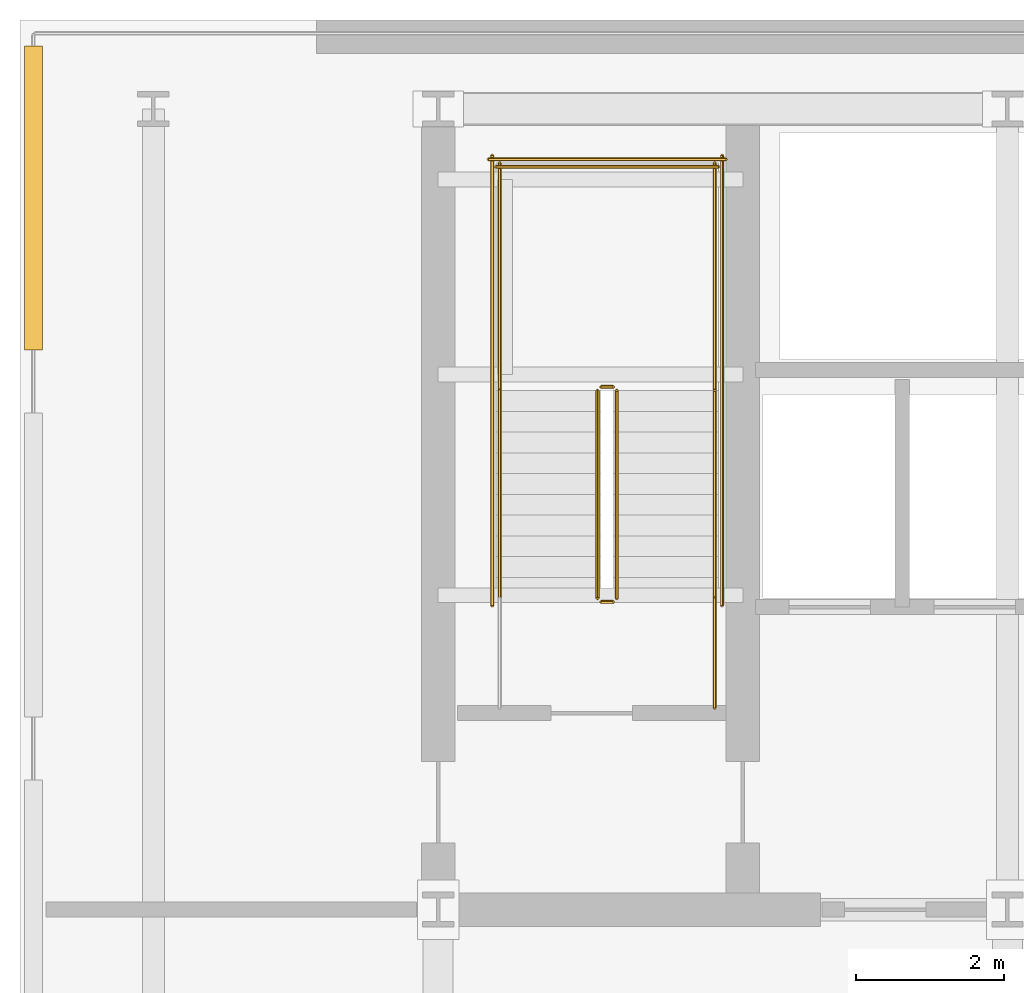
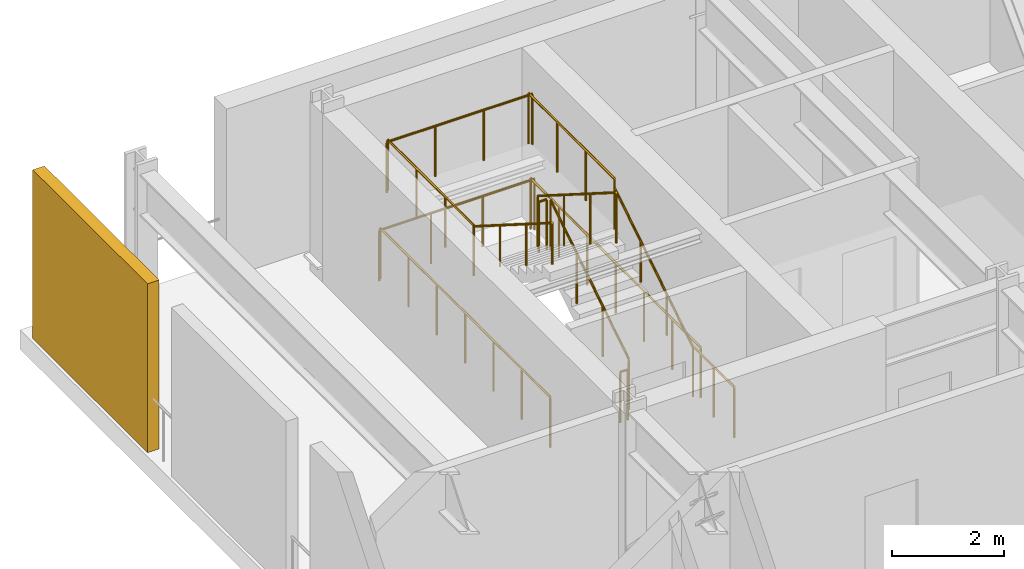
# One storey, part 6 of 8: 13 railings, 1 shading device.
"""IFC4 building model written with IfcOpenShell, lengths in metres."""

import ifcopenshell
import ifcopenshell.guid

model = None  # the IFC model being written
_history = None  # IfcOwnerHistory: only IFC2X3 demands one
_inside = {}  # id of a spatial element -> (the spatial element, [elements in it])
_under = {}  # id of a project, library or spatial element -> (it, [spatial elements below it])
_declared = {}  # id of a project -> (the project, [libraries it declares])
_typed = {}  # id of a type object -> (the type object, [elements of that type])
_made_of = {}  # id of a material, layer set ... -> (it, [elements and type objects made of it])


def new_model(schema):
    """Start an empty IFC model of exactly this schema.

    Asked for "IFC4X3", IfcOpenShell would pick the latest addendum, in which some entities
    have other attributes; the version numbers below select the first issue.
    IFC2X3 requires an IfcOwnerHistory on every rooted entity: one is made here for all.
    """
    global model, _history
    if schema == "IFC4X3":
        model = ifcopenshell.file(schema_version=(4, 3, 0, 0))
    else:
        model = ifcopenshell.file(schema=schema)
    _inside.clear()
    _under.clear()
    _declared.clear()
    _typed.clear()
    _made_of.clear()
    _history = None
    if model.schema == "IFC2X3":
        org = make("IfcOrganization", Name="unknown")
        user = make(
            "IfcPersonAndOrganization",
            ThePerson=make("IfcPerson", FamilyName="unknown"),
            TheOrganization=org,
        )
        app = make(
            "IfcApplication",
            ApplicationDeveloper=org,
            Version="unknown",
            ApplicationFullName="unknown",
            ApplicationIdentifier="unknown",
        )
        _history = make(
            "IfcOwnerHistory",
            OwningUser=user,
            OwningApplication=app,
            ChangeAction="ADDED",
            CreationDate=0,
        )
    return model


def make(cls, **values):
    """One entity of the class cls with the attributes given. An attribute that is None is left unset."""
    return model.create_entity(
        cls, **{name: value for name, value in values.items() if value is not None}
    )


def rooted(cls, **values):
    """An entity with a GlobalId (a new one), such as an element, a storey or a relation."""
    return make(cls, GlobalId=ifcopenshell.guid.new(), OwnerHistory=_history, **values)


def si_unit(unit_type, name, prefix=None):
    """IfcSIUnit, for example si_unit("LENGTHUNIT", "METRE", prefix="MILLI")."""
    return make("IfcSIUnit", UnitType=unit_type, Prefix=prefix, Name=name)


def assignment(units):
    """IfcUnitAssignment: the units of a project."""
    return None if units is None else make("IfcUnitAssignment", Units=units)


def point(xyz):
    """IfcCartesianPoint."""
    return None if xyz is None else make("IfcCartesianPoint", Coordinates=xyz)


def direction(xyz):
    """IfcDirection."""
    return None if xyz is None else make("IfcDirection", DirectionRatios=xyz)


def frame(location, z_axis=None, x_axis=None):
    """IfcAxis2Placement3D, a coordinate frame: its origin and axes. An axis left out is left unset."""
    return make(
        "IfcAxis2Placement3D",
        Location=point(location),
        Axis=direction(z_axis),
        RefDirection=direction(x_axis),
    )


def frame_2d(location, x_axis=None):
    """IfcAxis2Placement2D, a coordinate frame in the plane: its origin and x axis."""
    return make(
        "IfcAxis2Placement2D", Location=point(location), RefDirection=direction(x_axis)
    )


def origin():
    """The frame at (0, 0, 0) with its axes left unset."""
    return frame((0.0, 0.0, 0.0))


def origin_2d():
    """The frame at (0, 0) in the plane with its x axis left unset."""
    return frame_2d((0.0, 0.0))


def place(relative_to, where):
    """IfcLocalPlacement: puts the frame where relative to a parent placement (None: the world)."""
    return make(
        "IfcLocalPlacement", PlacementRelTo=relative_to, RelativePlacement=where
    )


def context(
    kind, dimensions, precision=None, world=None, true_north=None, identifier=None
):
    """IfcGeometricRepresentationContext, for example the 3D "Model" context."""
    return make(
        "IfcGeometricRepresentationContext",
        ContextIdentifier=identifier,
        ContextType=kind,
        CoordinateSpaceDimension=dimensions,
        Precision=precision,
        WorldCoordinateSystem=world,
        TrueNorth=true_north,
    )


def subcontext(parent, identifier, kind, view, scale=None):
    """IfcGeometricRepresentationSubContext, for example "Body" below "Model"."""
    return make(
        "IfcGeometricRepresentationSubContext",
        ContextIdentifier=identifier,
        ContextType=kind,
        ParentContext=parent,
        TargetScale=scale,
        TargetView=view,
    )


def project(units=None, contexts=None):
    """IfcProject with its units and contexts."""
    return rooted(
        "IfcProject",
        Name="project",
        RepresentationContexts=contexts,
        UnitsInContext=assignment(units),
    )


def spatial(cls, under=None, at=None, **own):
    """A site, building, storey or space (cls), placed at a placement, below another one or the project."""
    s = rooted(cls, ObjectPlacement=at, **own)
    if under is not None:
        _under.setdefault(under.id(), (under, []))[1].append(s)
    return s


def profile(cls, at=None, kind="AREA", **sizes):
    """A parametric profile (cls). Its sizes go by their IFC names, for example OverallWidth=200.0."""
    return make(cls, ProfileType=kind, Position=at, **sizes)


def rectangle(**sizes):
    """IfcRectangleProfileDef."""
    return profile("IfcRectangleProfileDef", **sizes)


def circle(**sizes):
    """IfcCircleProfileDef."""
    return profile("IfcCircleProfileDef", **sizes)


def extrude(swept, where, along, depth):
    """IfcExtrudedAreaSolid: the profile swept, set in the frame where, extruded along a direction by depth."""
    return make(
        "IfcExtrudedAreaSolid",
        SweptArea=swept,
        Position=where,
        ExtrudedDirection=direction(along),
        Depth=depth,
    )


def shape(context_of_items, identifier, shape_type, items):
    """IfcShapeRepresentation: the items that make up one representation, for example the "Body"."""
    return make(
        "IfcShapeRepresentation",
        ContextOfItems=context_of_items,
        RepresentationIdentifier=identifier,
        RepresentationType=shape_type,
        Items=items,
    )


def material(Name=None, Category=None):
    """IfcMaterial."""
    return make("IfcMaterial", Name=Name, Category=Category)


def layer(
    of_material, thickness, ventilated=None, Name=None, Category=None, Priority=None
):
    """IfcMaterialLayer: one layer of a wall or slab, of a material (None: an air gap)."""
    return make(
        "IfcMaterialLayer",
        Material=of_material,
        LayerThickness=thickness,
        IsVentilated=ventilated,
        Name=Name,
        Category=Category,
        Priority=Priority,
    )


def layer_set(layers, Name=None):
    """IfcMaterialLayerSet."""
    return make("IfcMaterialLayerSet", MaterialLayers=layers, LayerSetName=Name)


def made_of(thing, what):
    """Note that an element or type object is made of a material, layer set ...; save() writes the relation."""
    if what is not None:
        _made_of.setdefault(what.id(), (what, []))[1].append(thing)
    return thing


def type_object(cls, material=None, **own):
    """A type object (cls), such as IfcWallType, which elements share."""
    return made_of(rooted(cls, **own), material)


def element(
    cls,
    number,
    at=None,
    inside=None,
    cuts=None,
    type_object=None,
    material=None,
    context=None,
    identifier="Body",
    shape_type=None,
    held_by="IfcProductDefinitionShape",
    body=None,
    shapes=None,
    **own,
):
    """One element of the class cls, such as IfcWall. Its Tag is "e" and its number.

    at: its placement. inside: the storey or other place that contains it. cuts: it is an
    opening in that element (IfcRelVoidsElement). A single representation is given by context,
    identifier, shape_type and body (its items); several are given by shapes. held_by: the class
    of the entity that holds the representations. save() writes the other relations.
    """
    e = rooted(cls, Tag="e%d" % number, ObjectPlacement=at, **own)
    if body is not None:
        shapes = [shape(context, identifier, shape_type, body)]
    if shapes is not None:
        e.Representation = make(held_by, Representations=shapes)
    if inside is not None:
        _inside.setdefault(inside.id(), (inside, []))[1].append(e)
    if cuts is not None:
        rooted(
            "IfcRelVoidsElement", RelatingBuildingElement=cuts, RelatedOpeningElement=e
        )
    if type_object is not None:
        _typed.setdefault(type_object.id(), (type_object, []))[1].append(e)
    return made_of(e, material)


def aggregate(whole, parts):
    """IfcRelAggregates: a whole, such as a stair, and the parts it consists of."""
    return rooted("IfcRelAggregates", RelatingObject=whole, RelatedObjects=parts)


def save(model, path):
    """Write the relations noted so far, then the file.

    IfcRelAggregates (storeys below a building ...), IfcRelContainedInSpatialStructure (elements
    in a storey), IfcRelDefinesByType, IfcRelAssociatesMaterial and IfcRelDeclares: one each for
    every whole, place, type object, material and project.
    """
    for whole, parts in _under.values():
        aggregate(whole, parts)
    for where, things in _inside.values():
        rooted(
            "IfcRelContainedInSpatialStructure",
            RelatedElements=things,
            RelatingStructure=where,
        )
    for kind, things in _typed.values():
        rooted("IfcRelDefinesByType", RelatedObjects=things, RelatingType=kind)
    for what, things in _made_of.values():
        rooted("IfcRelAssociatesMaterial", RelatedObjects=things, RelatingMaterial=what)
    for by, libraries in _declared.values():
        rooted("IfcRelDeclares", RelatingContext=by, RelatedDefinitions=libraries)
    model.write(path)


model = new_model("IFC4")

# Units and contexts
model_context = context("Model", 3, precision=1e-05, world=origin(), true_north=direction((0.0, 1.0)))
body_context = subcontext(model_context, "Body", "Model", "MODEL_VIEW")
ifc_project = project(units=[si_unit("LENGTHUNIT", "METRE"), si_unit("AREAUNIT", "SQUARE_METRE"), si_unit("VOLUMEUNIT", "CUBIC_METRE"), si_unit("PLANEANGLEUNIT", "RADIAN"), si_unit("MASSUNIT", "GRAM", prefix="KILO")], contexts=[model_context])

# Site, building, storey
site_placement = place(None, origin())
site = spatial("IfcSite", under=ifc_project, at=site_placement, CompositionType="ELEMENT")
building_placement = place(site_placement, origin())
building = spatial("IfcBuilding", under=site, at=building_placement, Name="Yelkora Congress Tower", CompositionType="ELEMENT")
storey_placement = place(building_placement, frame((0.0, 0.0, 137.300048828125)))
storey = spatial("IfcBuildingStorey", under=building, at=storey_placement, Name="L37", CompositionType="ELEMENT", Elevation=137.300048828125)

# Railings
ifc_material_1 = material(Name="Painted galvanised steel stair well guard with vertical infill", Category="steel")
ifc_layer_1 = layer(ifc_material_1, 0.06005859375)
ifc_layer_set_1 = layer_set([ifc_layer_1], Name="Painted galvanised steel stair well guard with vertical infill")
railing_type_1 = type_object("IfcRailingType", Name="RAIL-STAIR-GUARD-1120", PredefinedType="GUARDRAIL", material=ifc_layer_set_1)
railing_1_placement = place(storey_placement, frame((25.449951171875, 39.60009765625, 0.17724609375)))
element("IfcRailing", 1, at=railing_1_placement, inside=storey, type_object=railing_type_1, Name="ST-01 L37 Stair Well Guardrail 1", PredefinedType="GUARDRAIL", context=body_context, shape_type="SweptSolid", body=[
    extrude(circle(Radius=0.02392578125, at=origin_2d()), frame((0.0, 0.0, 1.09619140625), z_axis=(0.0, 0.844887892834, 0.53494340686), x_axis=(-1.0, 0.0, 0.0)), (0.0, 0.0, 1.0), 3.313720703125),
    extrude(circle(Radius=0.02099609375, at=origin_2d()), origin(), (0.0, 0.0, 1.0), 1.072021484375),
    extrude(circle(Radius=0.02099609375, at=origin_2d()), frame((0.0, 0.933349609375, 0.5908203125)), (0.0, 0.0, 1.0), 1.072021484375),
    extrude(circle(Radius=0.02099609375, at=origin_2d()), frame((0.0, 1.866455078125, 1.181884765625)), (0.0, 0.0, 1.0), 1.072021484375),
    extrude(circle(Radius=0.02099609375, at=origin_2d()), frame((0.0, 2.7998046875, 1.772705078125)), (0.0, 0.0, 1.0), 1.072021484375),
])
railing_2_placement = place(storey_placement, frame((25.39990234375, 42.449951171875, 1.949951171875)))
element("IfcRailing", 2, at=railing_2_placement, inside=storey, type_object=railing_type_1, Name="ST-01 L37 Stair Well Guardrail 2", PredefinedType="GUARDRAIL", context=body_context, shape_type="SweptSolid", body=[
    extrude(circle(Radius=0.02392578125, at=origin_2d()), frame((0.0, 0.0, 1.09619140625), z_axis=(-1.0, 0.0, 0.0), x_axis=(0.0, -1.0, 0.0)), (0.0, 0.0, 1.0), 0.159912109375),
    extrude(circle(Radius=0.02099609375, at=origin_2d()), origin(), (0.0, 0.0, 1.0), 1.072021484375),
    extrude(circle(Radius=0.02099609375, at=origin_2d()), frame((-0.159912109375, 0.0, 0.0)), (0.0, 0.0, 1.0), 1.072021484375),
])
for number, where, name in (
    (3, (26.77001953125, 42.39990234375, 1.949951171875), "ST-01 L37 Stair Well Guardrail 3"),
    (4, (23.8701171875, 42.39990234375, 1.949951171875), "ST-01 L37 Stair Well Guardrail 4"),
):
    element("IfcRailing", number, at=place(storey_placement, frame(where)), inside=storey, type_object=railing_type_1, Name=name, PredefinedType="GUARDRAIL", context=body_context, shape_type="SweptSolid", body=[
        extrude(circle(Radius=0.02392578125, at=origin_2d()), frame((0.0, 0.0, 1.09619140625), z_axis=(0.0, 1.0, 0.0), x_axis=(-1.0, 0.0, 0.0)), (0.0, 0.0, 1.0), 3.070068359375),
        extrude(circle(Radius=0.02099609375, at=origin_2d()), origin(), (0.0, 0.0, 1.0), 1.072021484375),
        extrude(circle(Radius=0.02099609375, at=origin_2d()), frame((0.0, 1.0234375, 0.0)), (0.0, 0.0, 1.0), 1.072021484375),
        extrude(circle(Radius=0.02099609375, at=origin_2d()), frame((0.0, 2.046630859375, 0.0)), (0.0, 0.0, 1.0), 1.072021484375),
        extrude(circle(Radius=0.02099609375, at=origin_2d()), frame((0.0, 3.070068359375, 0.0)), (0.0, 0.0, 1.0), 1.072021484375),
    ])
railing_3_placement = place(storey_placement, frame((26.820068359375, 45.419921875, 1.949951171875)))
element("IfcRailing", 5, at=railing_3_placement, inside=storey, type_object=railing_type_1, Name="ST-01 L37 Stair Well Guardrail 5", PredefinedType="GUARDRAIL", context=body_context, shape_type="SweptSolid", body=[
    extrude(circle(Radius=0.02392578125, at=origin_2d()), frame((0.0, 0.0, 1.09619140625), z_axis=(-1.0, 0.0, 0.0), x_axis=(0.0, -1.0, 0.0)), (0.0, 0.0, 1.0), 3.0),
    extrude(circle(Radius=0.02099609375, at=origin_2d()), origin(), (0.0, 0.0, 1.0), 1.072021484375),
    extrude(circle(Radius=0.02099609375, at=origin_2d()), frame((-1.0, 0.0, 0.0)), (0.0, 0.0, 1.0), 1.072021484375),
    extrude(circle(Radius=0.02099609375, at=origin_2d()), frame((-2.0, 0.0, 0.0)), (0.0, 0.0, 1.0), 1.072021484375),
    extrude(circle(Radius=0.02099609375, at=origin_2d()), frame((-3.0, 0.0, 0.0)), (0.0, 0.0, 1.0), 1.072021484375),
])
railing_4_placement = place(storey_placement, frame((25.18994140625, 42.39990234375, 2.127197265625)))
element("IfcRailing", 6, at=railing_4_placement, inside=storey, type_object=railing_type_1, Name="ST-01 L37 Stair Well Guardrail 6", PredefinedType="GUARDRAIL", context=body_context, shape_type="SweptSolid", body=[
    extrude(circle(Radius=0.02392578125, at=origin_2d()), frame((0.0, 0.0, 1.09619140625), z_axis=(0.0, -0.844887892834, 0.53494340686), x_axis=(1.0, 0.0, 0.0)), (0.0, 0.0, 1.0), 3.313720703125),
    extrude(circle(Radius=0.02099609375, at=origin_2d()), origin(), (0.0, 0.0, 1.0), 1.072021484375),
    extrude(circle(Radius=0.02099609375, at=origin_2d()), frame((0.0, -0.933349609375, 0.5908203125)), (0.0, 0.0, 1.0), 1.072021484375),
    extrude(circle(Radius=0.02099609375, at=origin_2d()), frame((0.0, -1.866455078125, 1.181884765625)), (0.0, 0.0, 1.0), 1.072021484375),
    extrude(circle(Radius=0.02099609375, at=origin_2d()), frame((0.0, -2.7998046875, 1.772705078125)), (0.0, 0.0, 1.0), 1.072021484375),
])
railing_5_placement = place(storey_placement, frame((25.39990234375, 39.550048828125, 0.0)))
element("IfcRailing", 7, at=railing_5_placement, inside=storey, type_object=railing_type_1, Name="ST-01 L37 Stair Well Guardrail 7", PredefinedType="GUARDRAIL", context=body_context, shape_type="SweptSolid", body=[
    extrude(circle(Radius=0.02392578125, at=origin_2d()), frame((0.0, 0.0, 1.09619140625), z_axis=(-1.0, 0.0, 0.0), x_axis=(0.0, -1.0, 0.0)), (0.0, 0.0, 1.0), 0.159912109375),
    extrude(circle(Radius=0.02099609375, at=origin_2d()), origin(), (0.0, 0.0, 1.0), 1.072021484375),
    extrude(circle(Radius=0.02099609375, at=origin_2d()), frame((-0.159912109375, 0.0, 0.0)), (0.0, 0.0, 1.0), 1.072021484375),
])
railing_6_placement = place(storey_placement, frame((26.77001953125, 38.1201171875, 0.0)))
element("IfcRailing", 8, at=railing_6_placement, inside=storey, type_object=railing_type_1, Name="ST-01 L37 Stair Well Guardrail 8", PredefinedType="GUARDRAIL", context=body_context, shape_type="SweptSolid", body=[
    extrude(circle(Radius=0.02392578125, at=origin_2d()), frame((0.0, 0.0, 1.09619140625), z_axis=(0.0, 1.0, 0.0), x_axis=(-1.0, 0.0, 0.0)), (0.0, 0.0, 1.0), 1.47998046875),
    extrude(circle(Radius=0.02099609375, at=origin_2d()), origin(), (0.0, 0.0, 1.0), 1.072021484375),
    extrude(circle(Radius=0.02099609375, at=origin_2d()), frame((0.0, 0.739990234375, 0.0)), (0.0, 0.0, 1.0), 1.072021484375),
    extrude(circle(Radius=0.02099609375, at=origin_2d()), frame((0.0, 1.47998046875, 0.0)), (0.0, 0.0, 1.0), 1.072021484375),
])
for number, where, name in (
    (9, (26.8701171875, 39.5, 0.0), "ST-01 L37 Stair Well Guardrail 10"),
    (10, (23.77001953125, 39.5, 0.0), "ST-01 L37 Stair Well Guardrail 11"),
):
    element("IfcRailing", number, at=place(storey_placement, frame(where)), inside=storey, type_object=railing_type_1, Name=name, PredefinedType="GUARDRAIL", context=body_context, shape_type="SweptSolid", body=[
        extrude(circle(Radius=0.02392578125, at=origin_2d()), frame((0.0, 0.0, 1.09619140625), z_axis=(0.0, 1.0, 0.0), x_axis=(-1.0, 0.0, 0.0)), (0.0, 0.0, 1.0), 6.070068359375),
        extrude(circle(Radius=0.02099609375, at=origin_2d()), origin(), (0.0, 0.0, 1.0), 1.072021484375),
        extrude(circle(Radius=0.02099609375, at=origin_2d()), frame((0.0, 1.01171875, 0.0)), (0.0, 0.0, 1.0), 1.072021484375),
        extrude(circle(Radius=0.02099609375, at=origin_2d()), frame((0.0, 2.0234375, 0.0)), (0.0, 0.0, 1.0), 1.072021484375),
        extrude(circle(Radius=0.02099609375, at=origin_2d()), frame((0.0, 3.03515625, 0.0)), (0.0, 0.0, 1.0), 1.072021484375),
        extrude(circle(Radius=0.02099609375, at=origin_2d()), frame((0.0, 4.046630859375, 0.0)), (0.0, 0.0, 1.0), 1.072021484375),
        extrude(circle(Radius=0.02099609375, at=origin_2d()), frame((0.0, 5.058349609375, 0.0)), (0.0, 0.0, 1.0), 1.072021484375),
        extrude(circle(Radius=0.02099609375, at=origin_2d()), frame((0.0, 6.070068359375, 0.0)), (0.0, 0.0, 1.0), 1.072021484375),
    ])
railing_7_placement = place(storey_placement, frame((26.919921875, 45.52001953125, 0.0)))
element("IfcRailing", 11, at=railing_7_placement, inside=storey, type_object=railing_type_1, Name="ST-01 L37 Stair Well Guardrail 12", PredefinedType="GUARDRAIL", context=body_context, shape_type="SweptSolid", body=[
    extrude(circle(Radius=0.02392578125, at=origin_2d()), frame((0.0, 0.0, 1.09619140625), z_axis=(-1.0, 0.0, 0.0), x_axis=(0.0, -1.0, 0.0)), (0.0, 0.0, 1.0), 3.199951171875),
    extrude(circle(Radius=0.02099609375, at=origin_2d()), origin(), (0.0, 0.0, 1.0), 1.072021484375),
    extrude(circle(Radius=0.02099609375, at=origin_2d()), frame((-1.066650390625, 0.0, 0.0)), (0.0, 0.0, 1.0), 1.072021484375),
    extrude(circle(Radius=0.02099609375, at=origin_2d()), frame((-2.13330078125, 0.0, 0.0)), (0.0, 0.0, 1.0), 1.072021484375),
    extrude(circle(Radius=0.02099609375, at=origin_2d()), frame((-3.199951171875, 0.0, 0.0)), (0.0, 0.0, 1.0), 1.072021484375),
])
ifc_material_2 = material(Name="Brushed stainless steel tubular handrail", Category="steel")
ifc_layer_2 = layer(ifc_material_2, 0.050048828125)
ifc_layer_set_2 = layer_set([ifc_layer_2], Name="Brushed stainless steel tubular handrail")
railing_type_2 = type_object("IfcRailingType", Name="RAIL-STAIR-HAND-920", PredefinedType="HANDRAIL", material=ifc_layer_set_2)
railing_8_placement = place(storey_placement, frame((26.77001953125, 39.60009765625, 0.17724609375)))
element("IfcRailing", 12, at=railing_8_placement, inside=storey, type_object=railing_type_2, Name="ST-01 L37 Pitch Handrail 1", PredefinedType="HANDRAIL", context=body_context, shape_type="SweptSolid", body=[
    extrude(circle(Radius=0.02392578125, at=origin_2d()), frame((0.0, 0.0, 0.89599609375), z_axis=(0.0, 0.844887892834, 0.53494340686), x_axis=(-1.0, 0.0, 0.0)), (0.0, 0.0, 1.0), 3.313720703125),
    extrude(circle(Radius=0.02099609375, at=origin_2d()), origin(), (0.0, 0.0, 1.0), 0.871826171875),
    extrude(circle(Radius=0.02099609375, at=origin_2d()), frame((0.0, 0.933349609375, 0.5908203125)), (0.0, 0.0, 1.0), 0.871826171875),
    extrude(circle(Radius=0.02099609375, at=origin_2d()), frame((0.0, 1.866455078125, 1.181884765625)), (0.0, 0.0, 1.0), 0.871826171875),
    extrude(circle(Radius=0.02099609375, at=origin_2d()), frame((0.0, 2.7998046875, 1.772705078125)), (0.0, 0.0, 1.0), 0.871826171875),
])
railing_9_placement = place(storey_placement, frame((23.8701171875, 42.39990234375, 2.127197265625)))
element("IfcRailing", 13, at=railing_9_placement, inside=storey, type_object=railing_type_2, Name="ST-01 L37 Pitch Handrail 2", PredefinedType="HANDRAIL", context=body_context, shape_type="SweptSolid", body=[
    extrude(circle(Radius=0.02392578125, at=origin_2d()), frame((0.0, 0.0, 0.89599609375), z_axis=(0.0, -0.844887892834, 0.53494340686), x_axis=(1.0, 0.0, 0.0)), (0.0, 0.0, 1.0), 3.313720703125),
    extrude(circle(Radius=0.02099609375, at=origin_2d()), origin(), (0.0, 0.0, 1.0), 0.871826171875),
    extrude(circle(Radius=0.02099609375, at=origin_2d()), frame((0.0, -0.933349609375, 0.5908203125)), (0.0, 0.0, 1.0), 0.871826171875),
    extrude(circle(Radius=0.02099609375, at=origin_2d()), frame((0.0, -1.866455078125, 1.181884765625)), (0.0, 0.0, 1.0), 0.871826171875),
    extrude(circle(Radius=0.02099609375, at=origin_2d()), frame((0.0, -2.7998046875, 1.772705078125)), (0.0, 0.0, 1.0), 0.871826171875),
])

# Shading device
ifc_material_3 = material(Name="Perforated anodised aluminium louvre", Category="aluminium")
ifc_layer_3 = layer(ifc_material_3, 3.39990234375)
ifc_layer_set_3 = layer_set([ifc_layer_3], Name="Perforated anodised aluminium louvre")
shading_device_type = type_object("IfcShadingDeviceType", Name="SHD-LOUVRE-WIND", PredefinedType="JALOUSIE", material=ifc_layer_set_3)
shading_device_placement = place(storey_placement, frame((17.580078125, 45.0, 0.0), z_axis=(0.0, 0.0, 1.0), x_axis=(1.0, 0.0, 0.0)))
element("IfcShadingDevice", 14, at=shading_device_placement, inside=storey, type_object=shading_device_type, Name="L37 Acoustic Wind-Floor Louvre Screen W5", PredefinedType="JALOUSIE", context=body_context, shape_type="SweptSolid", body=[
    extrude(rectangle(XDim=0.239990234375, YDim=4.10009765625, at=origin_2d()), origin(), (0.0, 0.0, 1.0), 3.679931640625),
])

save(model, "model.ifc")
